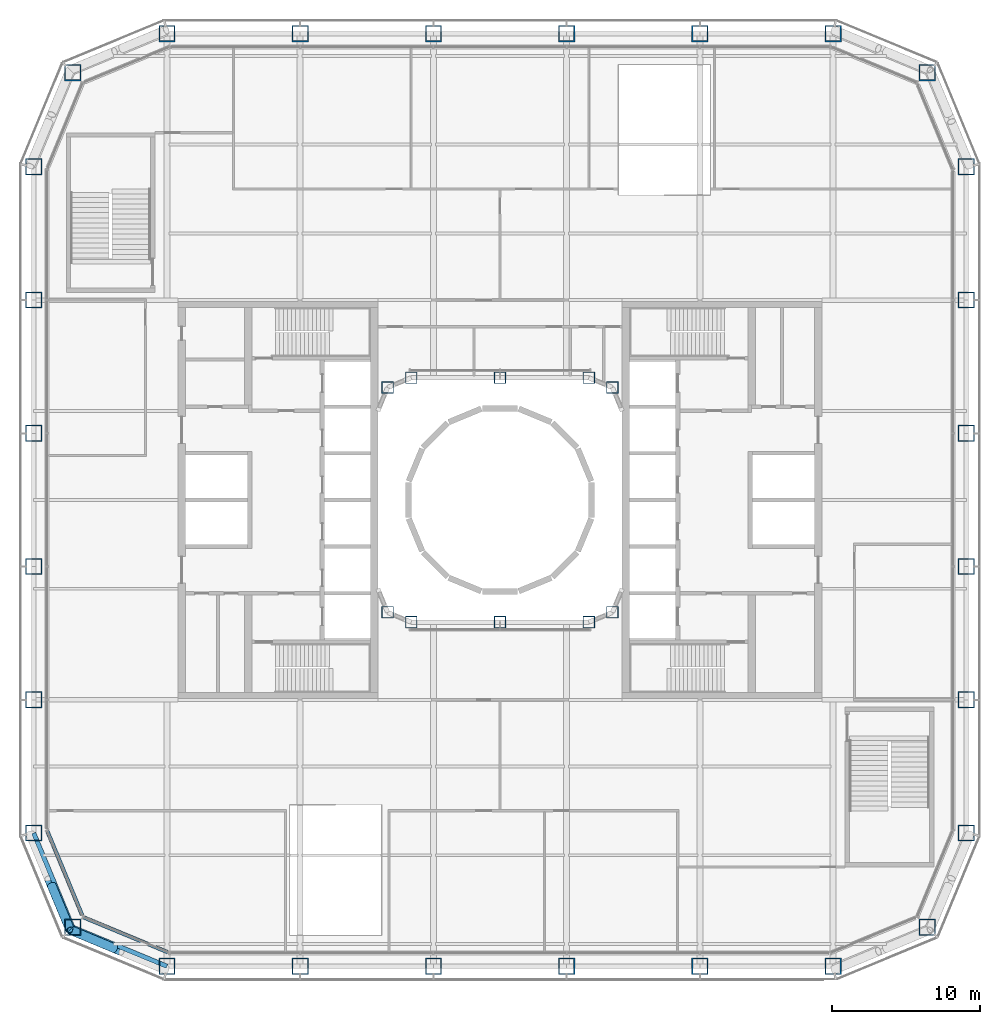
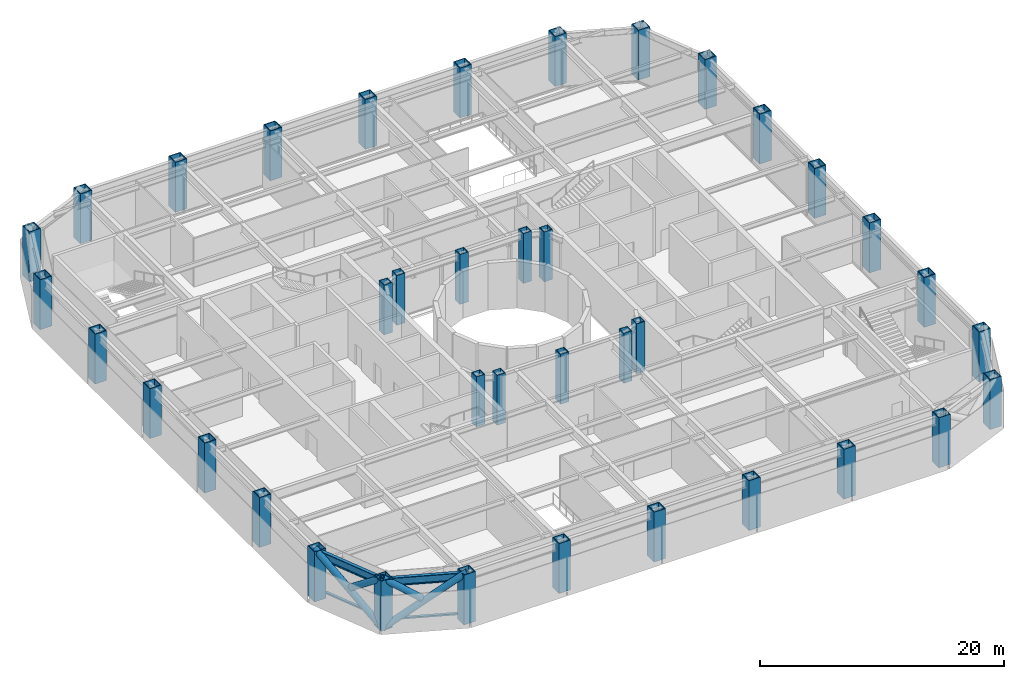
# One storey, part 1 of 24: 38 columns, 6 members, 2 beams, 2 elements without a shape of their own.
"""IFC4 building model written with IfcOpenShell, lengths in metres."""

from ifc_helpers import new_model, si_unit, direction, frame, origin, origin_2d, place, context, subcontext, project, spatial, rectangle, hollow_rectangle, hollow_circle, i_section, extrude, material, layer, layer_set, material_profile, profile_set, type_object, element, aggregate, save


model = new_model("IFC4")

# Units and contexts
model_context = context("Model", 3, precision=1e-05, world=origin(), true_north=direction((0.0, 1.0)))
body_context = subcontext(model_context, "Body", "Model", "MODEL_VIEW")
ifc_project = project(units=[si_unit("LENGTHUNIT", "METRE"), si_unit("AREAUNIT", "SQUARE_METRE"), si_unit("VOLUMEUNIT", "CUBIC_METRE"), si_unit("PLANEANGLEUNIT", "RADIAN"), si_unit("MASSUNIT", "GRAM", prefix="KILO")], contexts=[model_context])

# Site, building, storey
site_placement = place(None, origin())
site = spatial("IfcSite", under=ifc_project, at=site_placement, CompositionType="ELEMENT")
building_placement = place(site_placement, origin())
building = spatial("IfcBuilding", under=site, at=building_placement, Name="Siwar Civic Tower", CompositionType="ELEMENT")
storey_placement = place(building_placement, frame((0.0, 0.0, 12.199951171875)))
storey = spatial("IfcBuildingStorey", under=building, at=storey_placement, Name="L02", CompositionType="ELEMENT", Elevation=12.199951171875)

# Columns
ifc_material_1 = material(Name="Steel S460", Category="steel")
ifc_material_profile_1 = material_profile(ifc_material_1, hollow_rectangle(XDim=1.10009765625, YDim=1.10009765625, WallThickness=0.070068359375, at=origin_2d()), Name="BOX1100x1100x70")
ifc_profile_set_1 = profile_set([ifc_material_profile_1], Name="Steel S460")
column_type_1 = type_object("IfcColumnType", Name="STR-COL-BOX1100x1100x70", PredefinedType="COLUMN", material=ifc_profile_set_1)
for number, where, z_axis, x_axis, name in (
    (1, (-22.5, -31.5, 0.0), (0.0, 0.0, 1.0), (1.0, 0.0, 0.0), "L02/col/S-0"),
    (2, (-13.5, -31.5, 0.0), (0.0, 0.0, 1.0), (1.0, 0.0, 0.0), "L02/col/S-1"),
    (3, (-4.5, -31.5, 0.0), (0.0, 0.0, 1.0), (1.0, 0.0, 0.0), "L02/col/S-2"),
    (4, (4.5, -31.5, 0.0), (0.0, 0.0, 1.0), (1.0, 0.0, 0.0), "L02/col/S-3"),
    (5, (13.5, -31.5, 0.0), (0.0, 0.0, 1.0), (1.0, 0.0, 0.0), "L02/col/S-4"),
    (6, (22.5, -31.5, 0.0), (0.0, 0.0, 1.0), (1.0, 0.0, 0.0), "L02/col/SE1-0"),
    (7, (28.864013671875, -28.864013671875, 0.0), (0.0, 0.0, 1.0), (1.0, 0.0, 0.0), "L02/col/SE2-0"),
    (8, (31.5, -22.5, 0.0), (0.0, 0.0, 1.0), (1.0, 0.0, 0.0), "L02/col/E-0"),
    (9, (31.5, -13.5, 0.0), (0.0, 0.0, 1.0), (1.0, 0.0, 0.0), "L02/col/E-1"),
    (10, (31.5, -4.5, 0.0), (0.0, 0.0, 1.0), (1.0, 0.0, 0.0), "L02/col/E-2"),
    (11, (31.5, 4.5, 0.0), (0.0, 0.0, 1.0), (1.0, 0.0, 0.0), "L02/col/E-3"),
    (12, (31.5, 13.5, 0.0), (0.0, 0.0, 1.0), (1.0, 0.0, 0.0), "L02/col/E-4"),
    (13, (31.5, 22.5, 0.0), (0.0, 0.0, 1.0), (1.0, 0.0, 0.0), "L02/col/NE1-0"),
    (14, (28.864013671875, 28.864013671875, 0.0), (0.0, 0.0, 1.0), (1.0, 0.0, 0.0), "L02/col/NE2-0"),
    (15, (22.5, 31.5, 0.0), (0.0, 0.0, 1.0), (1.0, 0.0, 0.0), "L02/col/N-0"),
    (16, (13.5, 31.5, 0.0), (0.0, 0.0, 1.0), (1.0, 0.0, 0.0), "L02/col/N-1"),
    (17, (4.5, 31.5, 0.0), (0.0, 0.0, 1.0), (1.0, 0.0, 0.0), "L02/col/N-2"),
    (18, (-4.5, 31.5, 0.0), (0.0, 0.0, 1.0), (1.0, 0.0, 0.0), "L02/col/N-3"),
    (19, (-13.5, 31.5, 0.0), (0.0, 0.0, 1.0), (1.0, 0.0, 0.0), "L02/col/N-4"),
    (20, (-22.5, 31.5, 0.0), (0.0, 0.0, 1.0), (1.0, 0.0, 0.0), "L02/col/NW1-0"),
    (21, (-28.864013671875, 28.864013671875, 0.0), (0.0, 0.0, 1.0), (1.0, 0.0, 0.0), "L02/col/NW2-0"),
    (22, (-31.5, 22.5, 0.0), (0.0, 0.0, 1.0), (1.0, 0.0, 0.0), "L02/col/W-0"),
    (23, (-31.5, 13.5, 0.0), (0.0, 0.0, 1.0), (1.0, 0.0, 0.0), "L02/col/W-1"),
    (24, (-31.5, 4.5, 0.0), (0.0, 0.0, 1.0), (1.0, 0.0, 0.0), "L02/col/W-2"),
    (25, (-31.5, -4.5, 0.0), (0.0, 0.0, 1.0), (1.0, 0.0, 0.0), "L02/col/W-3"),
    (26, (-31.5, -13.5, 0.0), (0.0, 0.0, 1.0), (1.0, 0.0, 0.0), "L02/col/W-4"),
    (27, (-31.5, -22.5, 0.0), (0.0, 0.0, 1.0), (1.0, 0.0, 0.0), "L02/col/SW1-0"),
    (28, (-28.864013671875, -28.864013671875, 0.0), (0.0, 0.0, 1.0), (1.0, 0.0, 0.0), "L02/col/SW2-0"),
):
    element("IfcColumn", number, at=place(storey_placement, frame(where, z_axis=z_axis, x_axis=x_axis)), inside=storey, type_object=column_type_1, Name=name, PredefinedType="COLUMN", context=body_context, shape_type="SweptSolid", body=[
        extrude(hollow_rectangle(XDim=1.10009765625, YDim=1.10009765625, WallThickness=0.070068359375, at=origin_2d()), origin(), (0.0, 0.0, 1.0), 5.0),
    ])
ifc_material_2 = material(Name="Steel S355", Category="steel")
ifc_material_profile_2 = material_profile(ifc_material_2, hollow_rectangle(XDim=0.800048828125, YDim=0.800048828125, WallThickness=0.050048828125, at=origin_2d()), Name="BOX800x800x50")
ifc_profile_set_2 = profile_set([ifc_material_profile_2], Name="Steel S355")
column_type_2 = type_object("IfcColumnType", Name="STR-ICOL-BOX800x800x50", PredefinedType="COLUMN", material=ifc_profile_set_2)
for number, where, z_axis, x_axis, name in (
    (29, (-7.591064453125, -7.591064453125, 0.0), (0.0, 0.0, 1.0), (1.0, 0.0, 0.0), "L02/col/IS-0"),
    (30, (-6.0, -8.25, 0.0), (0.0, 0.0, 1.0), (1.0, 0.0, 0.0), "L02/col/IS-1"),
    (31, (0.0, -8.25, 0.0), (0.0, 0.0, 1.0), (1.0, 0.0, 0.0), "L02/col/IS-2"),
    (32, (6.0, -8.25, 0.0), (0.0, 0.0, 1.0), (1.0, 0.0, 0.0), "L02/col/IS-3"),
    (33, (7.591064453125, -7.591064453125, 0.0), (0.0, 0.0, 1.0), (1.0, 0.0, 0.0), "L02/col/IS-4"),
    (34, (-7.591064453125, 7.591064453125, 0.0), (0.0, 0.0, 1.0), (1.0, 0.0, 0.0), "L02/col/IN-0"),
    (35, (-6.0, 8.25, 0.0), (0.0, 0.0, 1.0), (1.0, 0.0, 0.0), "L02/col/IN-1"),
    (36, (0.0, 8.25, 0.0), (0.0, 0.0, 1.0), (1.0, 0.0, 0.0), "L02/col/IN-2"),
    (37, (6.0, 8.25, 0.0), (0.0, 0.0, 1.0), (1.0, 0.0, 0.0), "L02/col/IN-3"),
    (38, (7.591064453125, 7.591064453125, 0.0), (0.0, 0.0, 1.0), (1.0, 0.0, 0.0), "L02/col/IN-4"),
):
    element("IfcColumn", number, at=place(storey_placement, frame(where, z_axis=z_axis, x_axis=x_axis)), inside=storey, type_object=column_type_2, Name=name, PredefinedType="COLUMN", context=body_context, shape_type="SweptSolid", body=[
        extrude(hollow_rectangle(XDim=0.800048828125, YDim=0.800048828125, WallThickness=0.050048828125, at=origin_2d()), origin(), (0.0, 0.0, 1.0), 5.0),
    ])

# Curtain wall, member
ifc_material_3 = material(Name="Aluminium clad insulated panel", Category="aluminium")
ifc_layer = layer(ifc_material_3, 0.25)
ifc_layer_set = layer_set([ifc_layer], Name="Aluminium clad insulated panel")
curtain_wall_type = type_object("IfcCurtainWallType", Name="ENV-CW-HX", PredefinedType="NOTDEFINED", material=ifc_layer_set)
curtain_wall_1_placement = place(storey_placement, origin())
curtain_wall_1 = element("IfcCurtainWall", 39, at=curtain_wall_1_placement, inside=storey, type_object=curtain_wall_type, Name="Curtain wall H SW1", PredefinedType="NOTDEFINED")
ifc_material_4 = material(Name="Aluminium 6063-T6", Category="aluminium")
ifc_material_profile_3 = material_profile(ifc_material_4, rectangle(XDim=0.25, YDim=0.139892578125, at=origin_2d()), Name="AL 250x140")
ifc_profile_set_3 = profile_set([ifc_material_profile_3], Name="Aluminium 6063-T6")
member_type_1 = type_object("IfcMemberType", Name="ENV-TRANSOM-H", PredefinedType="USERDEFINED", material=ifc_profile_set_3)
member_1_placement = place(storey_placement, frame((-30.584716796875, -22.35791015625, 0.070068359375), z_axis=(0.382672669604, -0.92388399052, 0.0), x_axis=(0.92388399052, 0.382672669604, 0.0)))
member_1 = element("IfcMember", 40, at=member_1_placement, type_object=member_type_1, Name="Transom H SW1 1", ObjectType="TRANSOM", PredefinedType="USERDEFINED", context=body_context, shape_type="SweptSolid", body=[
    extrude(rectangle(XDim=0.25, YDim=0.139892578125, at=origin_2d()), origin(), (0.0, 0.0, 1.0), 6.15966796875),
])
aggregate(curtain_wall_1, [member_1])

curtain_wall_2_placement = place(storey_placement, origin())
curtain_wall_2 = element("IfcCurtainWall", 41, at=curtain_wall_2_placement, inside=storey, type_object=curtain_wall_type, Name="Curtain wall H SW2", PredefinedType="NOTDEFINED")
member_2_placement = place(storey_placement, frame((-28.13818359375, -28.1904296875, 0.070068359375), z_axis=(0.92388399052, -0.382672669604, 0.0), x_axis=(0.382672669604, 0.92388399052, 0.0)))
member_2 = element("IfcMember", 42, at=member_2_placement, type_object=member_type_1, Name="Transom H SW2 1", ObjectType="TRANSOM", PredefinedType="USERDEFINED", context=body_context, shape_type="SweptSolid", body=[
    extrude(rectangle(XDim=0.25, YDim=0.139892578125, at=origin_2d()), origin(), (0.0, 0.0, 1.0), 6.15966796875),
])
aggregate(curtain_wall_2, [member_2])

# Members
ifc_material_5 = material(Name="Steel S355", Category="steel")
ifc_material_profile_4 = material_profile(ifc_material_5, hollow_circle(Radius=0.304931640625, WallThickness=0.030029296875, at=origin_2d()), Name="CHS610x30")
ifc_profile_set_4 = profile_set([ifc_material_profile_4], Name="Steel S355")
member_type_2 = type_object("IfcMemberType", Name="STR-BR-CHS610x30", PredefinedType="BRACE", material=ifc_profile_set_4)
member_3_placement = place(storey_placement, frame((-29.040771484375, -29.040771484375, 0.0), z_axis=(0.752344350468, -0.313403721941, 0.579444635312), x_axis=(0.384538969033, 0.923108759191, 0.0)))
element("IfcMember", 43, at=member_3_placement, inside=storey, type_object=member_type_2, Name="L02/brc/ASW1-1-0-1", PredefinedType="BRACE", context=body_context, shape_type="SweptSolid", body=[
    extrude(hollow_circle(Radius=0.304931640625, WallThickness=0.030029296875, at=origin_2d()), origin(), (0.0, 0.0, 1.0), 8.62890625),
])
member_4_placement = place(storey_placement, frame((-26.033935546875, -30.293212890625, 2.684326171875), z_axis=(-0.752367191316, 0.313384515382, 0.57942536616), x_axis=(-0.384508939914, -0.923121267833, 0.0)))
element("IfcMember", 44, at=member_4_placement, inside=storey, type_object=member_type_2, Name="L02/brc/ASW1-1-0-3", PredefinedType="BRACE", context=body_context, shape_type="SweptSolid", body=[
    extrude(hollow_circle(Radius=0.304931640625, WallThickness=0.030029296875, at=origin_2d()), origin(), (0.0, 0.0, 1.0), 3.99658203125),
])
member_5_placement = place(storey_placement, frame((-29.040771484375, -29.040771484375, 0.0), z_axis=(-0.313403721941, 0.752344350468, 0.579444635312), x_axis=(-0.923108759191, -0.384538969033, 0.0)))
element("IfcMember", 45, at=member_5_placement, inside=storey, type_object=member_type_2, Name="L02/brc/ASW1-1-0-0", PredefinedType="BRACE", context=body_context, shape_type="SweptSolid", body=[
    extrude(hollow_circle(Radius=0.304931640625, WallThickness=0.030029296875, at=origin_2d()), origin(), (0.0, 0.0, 1.0), 8.62890625),
])
member_6_placement = place(storey_placement, frame((-30.293212890625, -26.033935546875, 2.684326171875), z_axis=(0.313384515382, -0.752367191316, 0.57942536616), x_axis=(0.923121267833, 0.384508939914, 0.0)))
element("IfcMember", 46, at=member_6_placement, inside=storey, type_object=member_type_2, Name="L02/brc/ASW1-1-0-5", PredefinedType="BRACE", context=body_context, shape_type="SweptSolid", body=[
    extrude(hollow_circle(Radius=0.304931640625, WallThickness=0.030029296875, at=origin_2d()), origin(), (0.0, 0.0, 1.0), 3.99658203125),
])

# Beams
ifc_material_6 = material(Name="Steel S355", Category="steel")
ifc_material_profile_5 = material_profile(ifc_material_6, i_section(OverallWidth=0.302978515625, OverallDepth=0.81396484375, WebThickness=0.02099609375, FlangeThickness=0.0400390625, FilletRadius=0.030029296875, at=origin_2d()), Name="HEM800")
ifc_profile_set_5 = profile_set([ifc_material_profile_5], Name="Steel S355")
beam_type = type_object("IfcBeamType", Name="STR-SB-HEM800", PredefinedType="BEAM", material=ifc_profile_set_5)
for number, where, z_axis, x_axis, name in (
    (47, (-31.5, -22.5, 4.443115234375), (0.382674207535, -0.923883353507, 0.0), (0.923883353507, 0.382674207535, 0.0), "L02/bm/SSW1-0"),
    (48, (-28.864013671875, -28.864013671875, 4.443115234375), (0.923883353507, -0.382674207535, 0.0), (0.382674207535, 0.923883353507, 0.0), "L02/bm/SSW2-0"),
):
    element("IfcBeam", number, at=place(storey_placement, frame(where, z_axis=z_axis, x_axis=x_axis)), inside=storey, type_object=beam_type, Name=name, PredefinedType="BEAM", context=body_context, shape_type="SweptSolid", body=[
        extrude(i_section(OverallWidth=0.302978515625, OverallDepth=0.81396484375, WebThickness=0.02099609375, FlangeThickness=0.0400390625, FilletRadius=0.030029296875, at=origin_2d()), origin(), (0.0, 0.0, 1.0), 6.888427734375),
    ])

save(model, "model.ifc")
